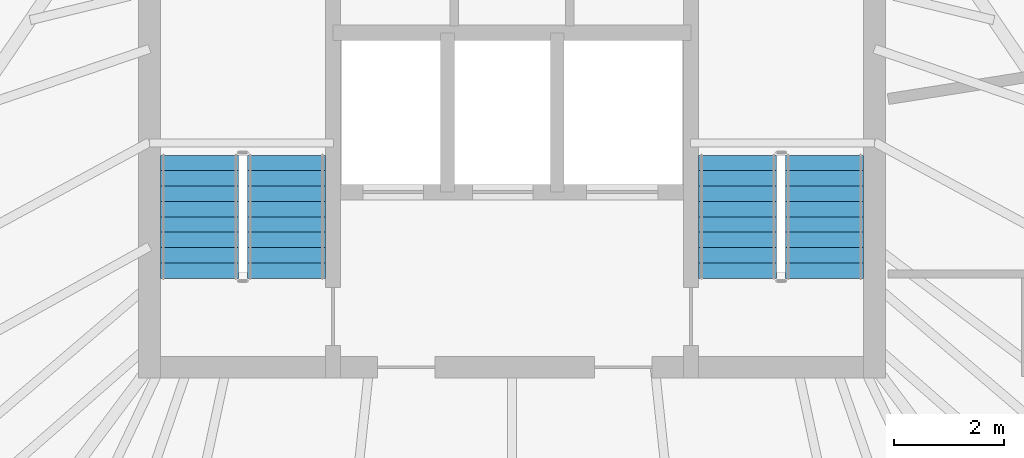
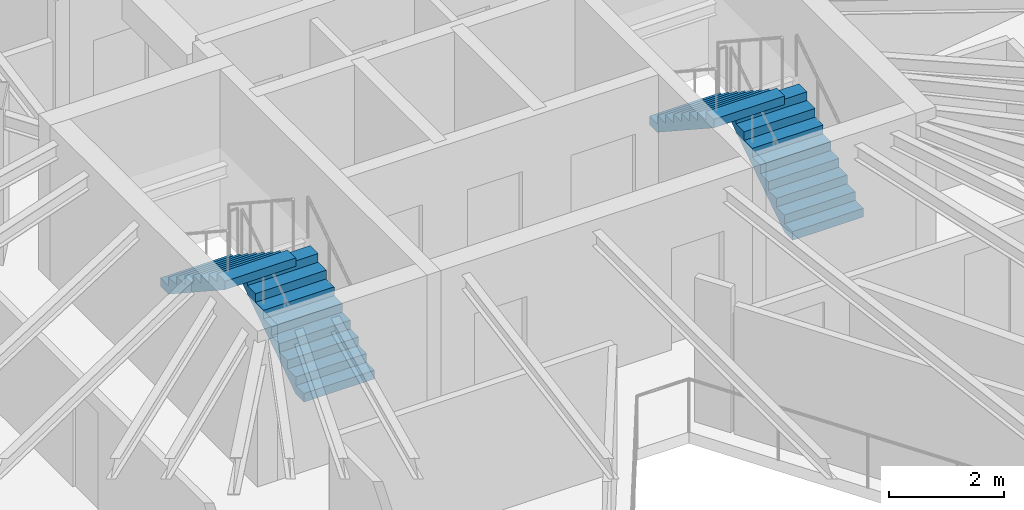
# One storey, part 30 of 33: 4 stair flights, 2 elements without a shape of their own.
"""IFC4 building model written with IfcOpenShell, lengths in metres."""

from ifc_helpers import new_model, si_unit, direction, frame, origin, place, context, subcontext, project, spatial, polyline, outline, extrude, material, type_object, element, aggregate, save


model = new_model("IFC4")

# Units and contexts
model_context = context("Model", 3, precision=1e-05, world=origin(), true_north=direction((0.0, 1.0)))
body_context = subcontext(model_context, "Body", "Model", "MODEL_VIEW")
ifc_project = project(units=[si_unit("LENGTHUNIT", "METRE"), si_unit("AREAUNIT", "SQUARE_METRE"), si_unit("VOLUMEUNIT", "CUBIC_METRE"), si_unit("PLANEANGLEUNIT", "RADIAN"), si_unit("MASSUNIT", "GRAM", prefix="KILO")], contexts=[model_context])

# Site, building, storey
site_placement = place(None, origin())
site = spatial("IfcSite", under=ifc_project, at=site_placement, CompositionType="ELEMENT")
building_placement = place(site_placement, origin())
building = spatial("IfcBuilding", under=site, at=building_placement, Name="Orvanel Arch Residences", CompositionType="ELEMENT")
storey_placement = place(building_placement, frame((0.0, 0.0, 123.199951171875)))
storey = spatial("IfcBuildingStorey", under=building, at=storey_placement, Name="L34", CompositionType="ELEMENT", Elevation=123.199951171875)

# Stair, stair flights
ifc_material = material(Name="Precast concrete N50 (50 MPa)", Category="concrete")
stair_type = type_object("IfcStairType", Name="STR-DOG-184", PredefinedType="USERDEFINED", material=ifc_material)
stair_1_placement = place(storey_placement, origin())
stair_1 = element("IfcStair", 1, at=stair_1_placement, inside=storey, type_object=stair_type, Name="L34 Fire-Isolated Core Exit Stair 1", ObjectType="TWO_RETURN_STAIR", PredefinedType="USERDEFINED")
stair_flight_type_1 = type_object("IfcStairFlightType", Name="SFL-C1-184", PredefinedType="STRAIGHT", material=ifc_material)
stair_flight_1_placement = place(storey_placement, frame((28.889892578125, 28.320068359375, 0.0), z_axis=(0.0, 0.0, 1.0), x_axis=(0.0, 1.0, 0.0)))
stair_flight_1 = element("IfcStairFlight", 2, at=stair_flight_1_placement, type_object=stair_flight_type_1, Name="ST-1 flight 1", NumberOfRisers=9, NumberOfTreads=8, PredefinedType="STRAIGHT", RiserHeight=0.183333333, TreadLength=0.28, context=body_context, shape_type="SweptSolid", body=[
    extrude(outline(polyline([(0.0, 0.0), (0.0, 0.183349609375), (0.280029296875, 0.183349609375), (0.280029296875, 0.36669921875), (0.56005859375, 0.36669921875), (0.56005859375, 0.550048828125), (0.840087890625, 0.550048828125), (0.840087890625, 0.7333984375), (1.1201171875, 0.7333984375), (1.1201171875, 0.916748046875), (1.39990234375, 0.916748046875), (1.39990234375, 1.10009765625), (1.679931640625, 1.10009765625), (1.679931640625, 1.283447265625), (1.9599609375, 1.283447265625), (1.9599609375, 1.466552734375), (2.239990234375, 1.466552734375), (2.239990234375, 1.64990234375), (2.239990234375, 1.28759765625), (0.273681640625, 0.0), (0.0, 0.0)])), frame((0.0, 0.7099609375, 0.0), z_axis=(0.0, -1.0, 0.0), x_axis=(1.0, 0.0, 0.0)), (0.0, 0.0, 1.0), 1.419921875),
])
stair_flight_2_placement = place(storey_placement, frame((27.31005859375, 30.56005859375, 1.650146484375), z_axis=(0.0, 0.0, 1.0), x_axis=(0.0, -1.0, 0.0)))
stair_flight_2 = element("IfcStairFlight", 3, at=stair_flight_2_placement, type_object=stair_flight_type_1, Name="ST-1 flight 2", NumberOfRisers=9, NumberOfTreads=8, PredefinedType="STRAIGHT", RiserHeight=0.183333333, TreadLength=0.28, context=body_context, shape_type="SweptSolid", body=[
    extrude(outline(polyline([(0.0, 0.0), (0.0, 0.183349609375), (0.280029296875, 0.183349609375), (0.280029296875, 0.36669921875), (0.56005859375, 0.36669921875), (0.56005859375, 0.550048828125), (0.840087890625, 0.550048828125), (0.840087890625, 0.7333984375), (1.1201171875, 0.7333984375), (1.1201171875, 0.916748046875), (1.39990234375, 0.916748046875), (1.39990234375, 1.10009765625), (1.679931640625, 1.10009765625), (1.679931640625, 1.283447265625), (1.9599609375, 1.283447265625), (1.9599609375, 1.466552734375), (2.239990234375, 1.466552734375), (2.239990234375, 1.64990234375), (2.239990234375, 1.28759765625), (0.273681640625, 0.0), (0.0, 0.0)])), frame((0.0, 0.7099609375, 0.0), z_axis=(0.0, -1.0, 0.0), x_axis=(1.0, 0.0, 0.0)), (0.0, 0.0, 1.0), 1.419921875),
])
aggregate(stair_1, [stair_flight_1, stair_flight_2])

stair_2_placement = place(storey_placement, origin())
stair_2 = element("IfcStair", 4, at=stair_2_placement, inside=storey, type_object=stair_type, Name="L34 Fire-Isolated Core Exit Stair 2", ObjectType="TWO_RETURN_STAIR", PredefinedType="USERDEFINED")
stair_flight_type_2 = type_object("IfcStairFlightType", Name="SFL-C2-184", PredefinedType="STRAIGHT", material=ifc_material)
stair_flight_3_placement = place(storey_placement, frame((38.68994140625, 28.320068359375, 0.0), z_axis=(0.0, 0.0, 1.0), x_axis=(0.0, 1.0, 0.0)))
stair_flight_3 = element("IfcStairFlight", 5, at=stair_flight_3_placement, type_object=stair_flight_type_2, Name="ST-2 flight 1", NumberOfRisers=9, NumberOfTreads=8, PredefinedType="STRAIGHT", RiserHeight=0.183333333, TreadLength=0.28, context=body_context, shape_type="SweptSolid", body=[
    extrude(outline(polyline([(0.0, 0.0), (0.0, 0.183349609375), (0.280029296875, 0.183349609375), (0.280029296875, 0.36669921875), (0.56005859375, 0.36669921875), (0.56005859375, 0.550048828125), (0.840087890625, 0.550048828125), (0.840087890625, 0.7333984375), (1.1201171875, 0.7333984375), (1.1201171875, 0.916748046875), (1.39990234375, 0.916748046875), (1.39990234375, 1.10009765625), (1.679931640625, 1.10009765625), (1.679931640625, 1.283447265625), (1.9599609375, 1.283447265625), (1.9599609375, 1.466552734375), (2.239990234375, 1.466552734375), (2.239990234375, 1.64990234375), (2.239990234375, 1.28759765625), (0.273681640625, 0.0), (0.0, 0.0)])), frame((0.0, 0.7099609375, 0.0), z_axis=(0.0, -1.0, 0.0), x_axis=(1.0, 0.0, 0.0)), (0.0, 0.0, 1.0), 1.419921875),
])
stair_flight_4_placement = place(storey_placement, frame((37.110107421875, 30.56005859375, 1.650146484375), z_axis=(0.0, 0.0, 1.0), x_axis=(0.0, -1.0, 0.0)))
stair_flight_4 = element("IfcStairFlight", 6, at=stair_flight_4_placement, type_object=stair_flight_type_2, Name="ST-2 flight 2", NumberOfRisers=9, NumberOfTreads=8, PredefinedType="STRAIGHT", RiserHeight=0.183333333, TreadLength=0.28, context=body_context, shape_type="SweptSolid", body=[
    extrude(outline(polyline([(0.0, 0.0), (0.0, 0.183349609375), (0.280029296875, 0.183349609375), (0.280029296875, 0.36669921875), (0.56005859375, 0.36669921875), (0.56005859375, 0.550048828125), (0.840087890625, 0.550048828125), (0.840087890625, 0.7333984375), (1.1201171875, 0.7333984375), (1.1201171875, 0.916748046875), (1.39990234375, 0.916748046875), (1.39990234375, 1.10009765625), (1.679931640625, 1.10009765625), (1.679931640625, 1.283447265625), (1.9599609375, 1.283447265625), (1.9599609375, 1.466552734375), (2.239990234375, 1.466552734375), (2.239990234375, 1.64990234375), (2.239990234375, 1.28759765625), (0.273681640625, 0.0), (0.0, 0.0)])), frame((0.0, 0.7099609375, 0.0), z_axis=(0.0, -1.0, 0.0), x_axis=(1.0, 0.0, 0.0)), (0.0, 0.0, 1.0), 1.419921875),
])
aggregate(stair_2, [stair_flight_3, stair_flight_4])

save(model, "model.ifc")
